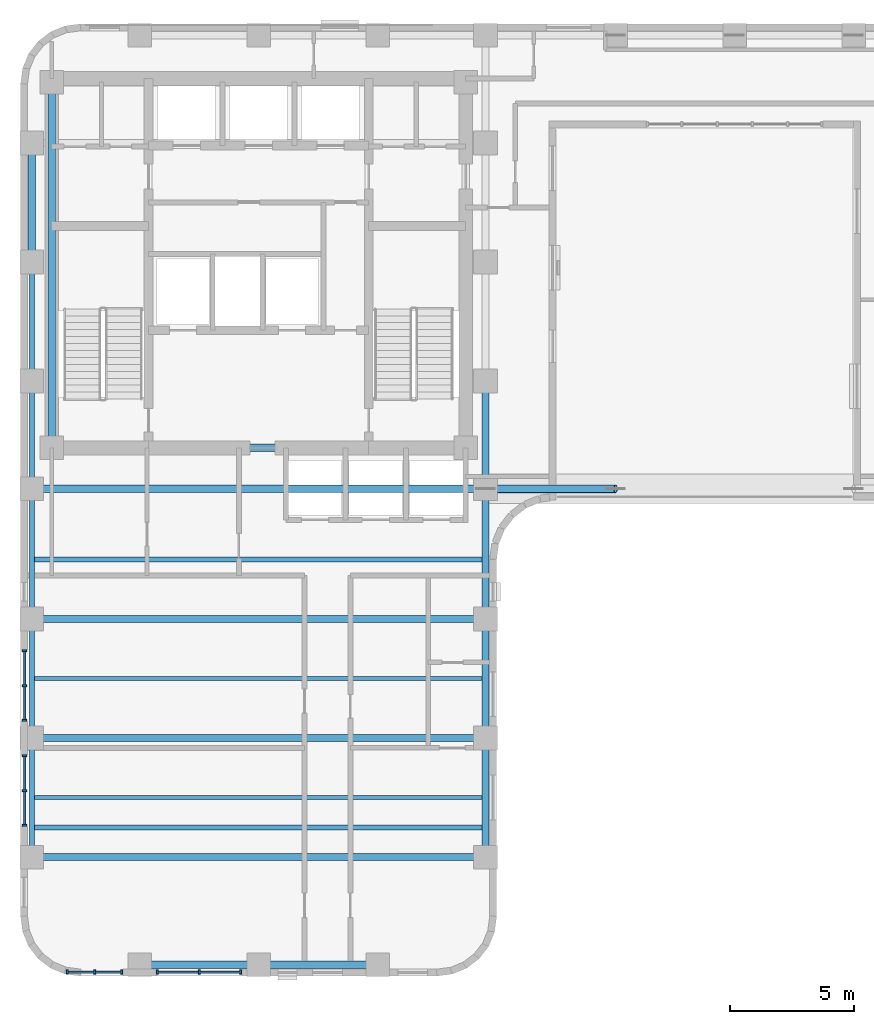
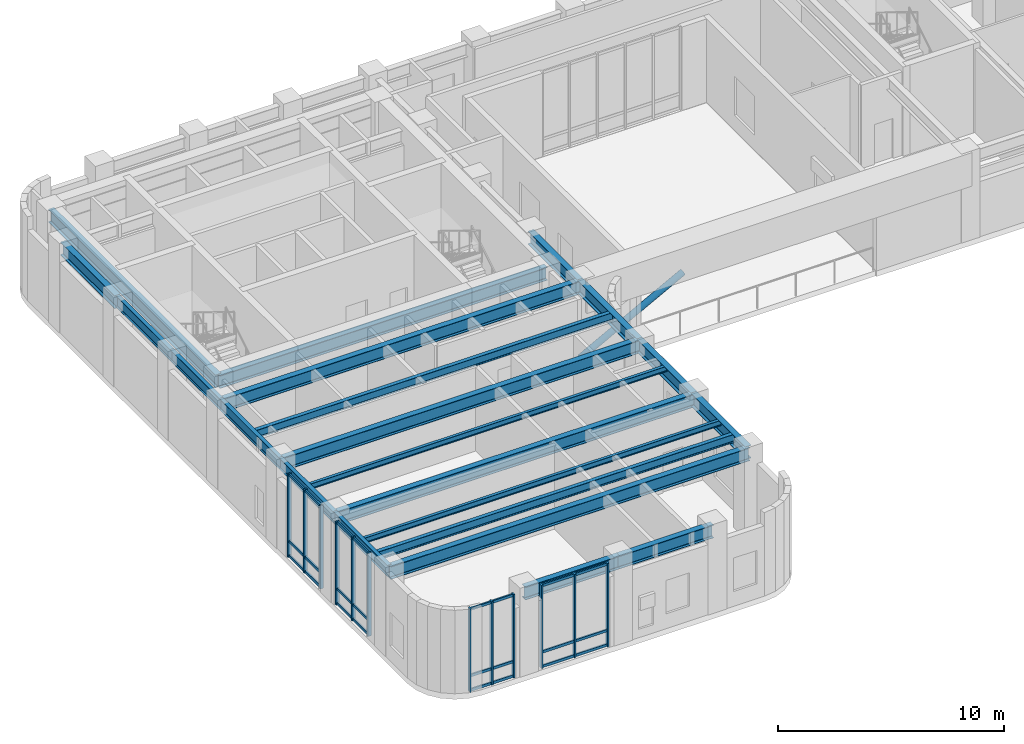
# One storey, part 2 of 12: 37 members, 22 beams, 4 elements without a shape of their own.
"""IFC4 building model written with IfcOpenShell, lengths in metres."""

from ifc_helpers import new_model, si_unit, direction, frame, origin, origin_2d, place, context, subcontext, project, spatial, rectangle, hollow_circle, i_section, extrude, material, material_profile, profile_set, type_object, element, aggregate, save


model = new_model("IFC4")

# Units and contexts
model_context = context("Model", 3, precision=1e-05, world=origin(), true_north=direction((0.0, 1.0)))
body_context = subcontext(model_context, "Body", "Model", "MODEL_VIEW")
ifc_project = project(units=[si_unit("LENGTHUNIT", "METRE"), si_unit("AREAUNIT", "SQUARE_METRE"), si_unit("VOLUMEUNIT", "CUBIC_METRE"), si_unit("PLANEANGLEUNIT", "RADIAN"), si_unit("MASSUNIT", "GRAM", prefix="KILO")], contexts=[model_context])

# Site, building, storey
site_placement = place(None, origin())
site = spatial("IfcSite", under=ifc_project, at=site_placement, CompositionType="ELEMENT")
building_placement = place(site_placement, origin())
building = spatial("IfcBuilding", under=site, at=building_placement, Name="Orvandelia Arch Residences", CompositionType="ELEMENT")
storey_placement = place(building_placement, frame((0.0, 0.0, 193.60009765625)))
storey = spatial("IfcBuildingStorey", under=building, at=storey_placement, Name="L51", CompositionType="ELEMENT", Elevation=193.60009765625)

# Beams
ifc_material_1 = material(Name="Structural Steel SM355 (355 MPa)", Category="steel")
ifc_material_profile_1 = material_profile(ifc_material_1, i_section(OverallWidth=0.199951171875, OverallDepth=0.449951171875, WebThickness=0.009033203125, FlangeThickness=0.013916015625, FilletRadius=0.01806640625, at=origin_2d()), Name="Structural Steel SM355 (355 MPa)", Category="steel")
ifc_profile_set_1 = profile_set([ifc_material_profile_1], Name="Structural Steel SM355 (355 MPa)")
beam_type_1 = type_object("IfcBeamType", Name="BM-BAL-H450", PredefinedType="BEAM", material=ifc_profile_set_1)
for number, where, z_axis, x_axis, name in (
    (1, (5.25, 15.60009765625, 4.27490234375), (1.0, 0.0, 0.0), (0.0, 1.0, 0.0), "Sky-Deck Edge Steel Beam L51-BB1"),
    (2, (5.25, 26.39990234375, 4.27490234375), (1.0, 0.0, 0.0), (0.0, 1.0, 0.0), "Sky-Deck Edge Steel Beam L51-BB2"),
):
    element("IfcBeam", number, at=place(storey_placement, frame(where, z_axis=z_axis, x_axis=x_axis)), inside=storey, type_object=beam_type_1, Name=name, PredefinedType="BEAM", context=body_context, shape_type="SweptSolid", body=[
        extrude(i_section(OverallWidth=0.199951171875, OverallDepth=0.449951171875, WebThickness=0.009033203125, FlangeThickness=0.013916015625, FilletRadius=0.01806640625, at=origin_2d()), origin(), (0.0, 0.0, 1.0), 18.300048828125),
    ])
ifc_material_profile_2 = material_profile(ifc_material_1, i_section(OverallWidth=0.300048828125, OverallDepth=0.699951171875, WebThickness=0.012939453125, FlangeThickness=0.02392578125, FilletRadius=0.02392578125, at=origin_2d()), Name="Structural Steel SM355 (355 MPa)", Category="steel")
ifc_profile_set_2 = profile_set([ifc_material_profile_2], Name="Structural Steel SM355 (355 MPa)")
beam_type_2 = type_object("IfcBeamType", Name="BM-GRD-H700", PredefinedType="BEAM", material=ifc_profile_set_2)
beam_1_placement = place(storey_placement, frame((5.25, 38.39990234375, 4.14990234375), z_axis=(0.0, 1.0, 0.0), x_axis=(-1.0, 0.0, 0.0)))
element("IfcBeam", 3, at=beam_1_placement, inside=storey, type_object=beam_type_2, Name="Structural Frame Beam L51-NS-006", PredefinedType="BEAM", context=body_context, shape_type="SweptSolid", body=[
    extrude(i_section(OverallWidth=0.300048828125, OverallDepth=0.699951171875, WebThickness=0.012939453125, FlangeThickness=0.02392578125, FilletRadius=0.02392578125, at=origin_2d()), origin(), (0.0, 0.0, 1.0), 4.800048828125),
])
beam_2_placement = place(storey_placement, frame((6.050048828125, 30.89990234375, 4.14990234375), z_axis=(0.0, 1.0, 0.0), x_axis=(-1.0, 0.0, 0.0)))
element("IfcBeam", 4, at=beam_2_placement, inside=storey, type_object=beam_type_2, Name="Structural Frame Beam L51-NS-007", PredefinedType="BEAM", context=body_context, shape_type="SweptSolid", body=[
    extrude(i_section(OverallWidth=0.300048828125, OverallDepth=0.699951171875, WebThickness=0.012939453125, FlangeThickness=0.02392578125, FilletRadius=0.02392578125, at=origin_2d()), origin(), (0.0, 0.0, 1.0), 14.75),
])
for number, where, z_axis, x_axis, name in (
    (5, (23.550048828125, 14.39990234375, 4.14990234375), (0.0, 1.0, 0.0), (-1.0, 0.0, 0.0), "Structural Frame Beam L51-NS-009"),
    (6, (23.550048828125, 19.199951171875, 4.14990234375), (0.0, 1.0, 0.0), (-1.0, 0.0, 0.0), "Structural Frame Beam L51-NS-010"),
):
    element("IfcBeam", number, at=place(storey_placement, frame(where, z_axis=z_axis, x_axis=x_axis)), inside=storey, type_object=beam_type_2, Name=name, PredefinedType="BEAM", context=body_context, shape_type="SweptSolid", body=[
        extrude(i_section(OverallWidth=0.300048828125, OverallDepth=0.699951171875, WebThickness=0.012939453125, FlangeThickness=0.02392578125, FilletRadius=0.02392578125, at=origin_2d()), origin(), (0.0, 0.0, 1.0), 4.800048828125),
    ])
beam_3_placement = place(storey_placement, frame((23.550048828125, 24.0, 4.14990234375), z_axis=(0.0, 1.0, 0.0), x_axis=(-1.0, 0.0, 0.0)))
element("IfcBeam", 7, at=beam_3_placement, inside=storey, type_object=beam_type_2, Name="Structural Frame Beam L51-NS-011", PredefinedType="BEAM", context=body_context, shape_type="SweptSolid", body=[
    extrude(i_section(OverallWidth=0.300048828125, OverallDepth=0.699951171875, WebThickness=0.012939453125, FlangeThickness=0.02392578125, FilletRadius=0.02392578125, at=origin_2d()), origin(), (0.0, 0.0, 1.0), 5.25),
])
beam_4_placement = place(storey_placement, frame((23.550048828125, 29.25, 4.14990234375), z_axis=(0.0, 1.0, 0.0), x_axis=(-1.0, 0.0, 0.0)))
element("IfcBeam", 8, at=beam_4_placement, inside=storey, type_object=beam_type_2, Name="Structural Frame Beam L51-NS-012", PredefinedType="BEAM", context=body_context, shape_type="SweptSolid", body=[
    extrude(i_section(OverallWidth=0.300048828125, OverallDepth=0.699951171875, WebThickness=0.012939453125, FlangeThickness=0.02392578125, FilletRadius=0.02392578125, at=origin_2d()), origin(), (0.0, 0.0, 1.0), 4.35009765625),
])
beam_5_placement = place(storey_placement, frame((9.60009765625, 10.050048828125, 4.14990234375), z_axis=(1.0, 0.0, 0.0), x_axis=(0.0, 1.0, 0.0)))
element("IfcBeam", 9, at=beam_5_placement, inside=storey, type_object=beam_type_2, Name="Structural Frame Girder L51-EW-022", PredefinedType="BEAM", context=body_context, shape_type="SweptSolid", body=[
    extrude(i_section(OverallWidth=0.300048828125, OverallDepth=0.699951171875, WebThickness=0.012939453125, FlangeThickness=0.02392578125, FilletRadius=0.02392578125, at=origin_2d()), origin(), (0.0, 0.0, 1.0), 4.7998046875),
])
beam_6_placement = place(storey_placement, frame((14.39990234375, 10.050048828125, 4.14990234375), z_axis=(1.0, 0.0, 0.0), x_axis=(0.0, 1.0, 0.0)))
element("IfcBeam", 10, at=beam_6_placement, inside=storey, type_object=beam_type_2, Name="Structural Frame Girder L51-EW-023", PredefinedType="BEAM", context=body_context, shape_type="SweptSolid", body=[
    extrude(i_section(OverallWidth=0.300048828125, OverallDepth=0.699951171875, WebThickness=0.012939453125, FlangeThickness=0.02392578125, FilletRadius=0.02392578125, at=origin_2d()), origin(), (0.0, 0.0, 1.0), 4.800048828125),
])
for number, where, z_axis, x_axis, name in (
    (11, (5.25, 14.39990234375, 4.14990234375), (1.0, 0.0, 0.0), (0.0, 1.0, 0.0), "Structural Frame Girder L51-EW-024"),
    (12, (5.25, 19.199951171875, 4.14990234375), (1.0, 0.0, 0.0), (0.0, 1.0, 0.0), "Structural Frame Girder L51-EW-025"),
    (13, (5.25, 24.0, 4.14990234375), (1.0, 0.0, 0.0), (0.0, 1.0, 0.0), "Structural Frame Girder L51-EW-026"),
    (14, (5.25, 29.25, 4.14990234375), (1.0, 0.0, 0.0), (0.0, 1.0, 0.0), "Structural Frame Girder L51-EW-027"),
):
    element("IfcBeam", number, at=place(storey_placement, frame(where, z_axis=z_axis, x_axis=x_axis)), inside=storey, type_object=beam_type_2, Name=name, PredefinedType="BEAM", context=body_context, shape_type="SweptSolid", body=[
        extrude(i_section(OverallWidth=0.300048828125, OverallDepth=0.699951171875, WebThickness=0.012939453125, FlangeThickness=0.02392578125, FilletRadius=0.02392578125, at=origin_2d()), origin(), (0.0, 0.0, 1.0), 18.300048828125),
    ])
beam_7_placement = place(storey_placement, frame((6.050048828125, 30.89990234375, 4.14990234375), z_axis=(1.0, 0.0, 0.0), x_axis=(0.0, 1.0, 0.0)))
element("IfcBeam", 15, at=beam_7_placement, inside=storey, type_object=beam_type_2, Name="Structural Frame Girder L51-EW-030", PredefinedType="BEAM", context=body_context, shape_type="SweptSolid", body=[
    extrude(i_section(OverallWidth=0.300048828125, OverallDepth=0.699951171875, WebThickness=0.012939453125, FlangeThickness=0.02392578125, FilletRadius=0.02392578125, at=origin_2d()), origin(), (0.0, 0.0, 1.0), 16.699951171875),
])
ifc_material_profile_3 = material_profile(ifc_material_1, i_section(OverallWidth=0.14990234375, OverallDepth=0.300048828125, WebThickness=0.006591796875, FlangeThickness=0.009033203125, FilletRadius=0.012939453125, at=origin_2d()), Name="Structural Steel SM355 (355 MPa)", Category="steel")
ifc_profile_set_3 = profile_set([ifc_material_profile_3], Name="Structural Steel SM355 (355 MPa)")
beam_type_3 = type_object("IfcBeamType", Name="BM-JST-H300", PredefinedType="JOIST", material=ifc_profile_set_3)
for number, where, z_axis, x_axis, name in (
    (16, (5.25, 16.800048828125, 4.349853515625), (1.0, 0.0, 0.0), (0.0, 1.0, 0.0), "Composite Floor Joist L51-J1"),
    (17, (5.25, 21.60009765625, 4.349853515625), (1.0, 0.0, 0.0), (0.0, 1.0, 0.0), "Composite Floor Joist L51-J2"),
):
    element("IfcBeam", number, at=place(storey_placement, frame(where, z_axis=z_axis, x_axis=x_axis)), inside=storey, type_object=beam_type_3, Name=name, PredefinedType="JOIST", context=body_context, shape_type="SweptSolid", body=[
        extrude(i_section(OverallWidth=0.14990234375, OverallDepth=0.300048828125, WebThickness=0.006591796875, FlangeThickness=0.009033203125, FilletRadius=0.012939453125, at=origin_2d()), origin(), (0.0, 0.0, 1.0), 18.300048828125),
    ])
ifc_material_profile_4 = material_profile(ifc_material_1, i_section(OverallWidth=0.199951171875, OverallDepth=0.60009765625, WebThickness=0.010986328125, FlangeThickness=0.01708984375, FilletRadius=0.02197265625, at=origin_2d()), Name="Structural Steel SM355 (355 MPa)", Category="steel")
ifc_profile_set_4 = profile_set([ifc_material_profile_4], Name="Structural Steel SM355 (355 MPa)")
beam_type_4 = type_object("IfcBeamType", Name="BM-SPN-H600", PredefinedType="SPANDREL", material=ifc_profile_set_4)
for number, where, z_axis, x_axis, name in (
    (18, (5.25, 14.39990234375, 4.199951171875), (0.0, 1.0, 0.0), (-1.0, 0.0, 0.0), "Structural Frame Beam L51-NS-001"),
    (19, (5.25, 19.199951171875, 4.199951171875), (0.0, 1.0, 0.0), (-1.0, 0.0, 0.0), "Structural Frame Beam L51-NS-002"),
):
    element("IfcBeam", number, at=place(storey_placement, frame(where, z_axis=z_axis, x_axis=x_axis)), inside=storey, type_object=beam_type_4, Name=name, PredefinedType="SPANDREL", context=body_context, shape_type="SweptSolid", body=[
        extrude(i_section(OverallWidth=0.199951171875, OverallDepth=0.60009765625, WebThickness=0.010986328125, FlangeThickness=0.01708984375, FilletRadius=0.02197265625, at=origin_2d()), origin(), (0.0, 0.0, 1.0), 4.800048828125),
    ])
beam_8_placement = place(storey_placement, frame((5.25, 24.0, 4.199951171875), z_axis=(0.0, 1.0, 0.0), x_axis=(-1.0, 0.0, 0.0)))
element("IfcBeam", 20, at=beam_8_placement, inside=storey, type_object=beam_type_4, Name="Structural Frame Beam L51-NS-003", PredefinedType="SPANDREL", context=body_context, shape_type="SweptSolid", body=[
    extrude(i_section(OverallWidth=0.199951171875, OverallDepth=0.60009765625, WebThickness=0.010986328125, FlangeThickness=0.01708984375, FilletRadius=0.02197265625, at=origin_2d()), origin(), (0.0, 0.0, 1.0), 5.25),
])
beam_9_placement = place(storey_placement, frame((5.25, 29.25, 4.199951171875), z_axis=(0.0, 1.0, 0.0), x_axis=(-1.0, 0.0, 0.0)))
element("IfcBeam", 21, at=beam_9_placement, inside=storey, type_object=beam_type_4, Name="Structural Frame Beam L51-NS-004", PredefinedType="SPANDREL", context=body_context, shape_type="SweptSolid", body=[
    extrude(i_section(OverallWidth=0.199951171875, OverallDepth=0.60009765625, WebThickness=0.010986328125, FlangeThickness=0.01708984375, FilletRadius=0.02197265625, at=origin_2d()), origin(), (0.0, 0.0, 1.0), 4.35009765625),
])
beam_10_placement = place(storey_placement, frame((5.25, 33.60009765625, 4.199951171875), z_axis=(0.0, 1.0, 0.0), x_axis=(-1.0, 0.0, 0.0)))
element("IfcBeam", 22, at=beam_10_placement, inside=storey, type_object=beam_type_4, Name="Structural Frame Beam L51-NS-005", PredefinedType="SPANDREL", context=body_context, shape_type="SweptSolid", body=[
    extrude(i_section(OverallWidth=0.199951171875, OverallDepth=0.60009765625, WebThickness=0.010986328125, FlangeThickness=0.01708984375, FilletRadius=0.02197265625, at=origin_2d()), origin(), (0.0, 0.0, 1.0), 4.7998046875),
])

# Curtain wall, members
ifc_material_2 = material(Name="Anodised Bronze Curtain Wall Assembly")
curtain_wall_type = type_object("IfcCurtainWallType", Name="CW-SYS3-SKY", PredefinedType="NOTDEFINED", material=ifc_material_2)
curtain_wall_1_placement = place(storey_placement, origin())
curtain_wall_1 = element("IfcCurtainWall", 23, at=curtain_wall_1_placement, inside=storey, type_object=curtain_wall_type, Name="Sky Lobby South Curtain Wall L51 1", PredefinedType="NOTDEFINED")
ifc_material_3 = material(Name="Anodised Aluminium Alloy 6063-T6", Category="aluminium")
ifc_material_profile_5 = material_profile(ifc_material_3, rectangle(XDim=0.080078125, YDim=0.179931640625, at=origin_2d()), Name="Anodised Aluminium Alloy 6063-T6", Category="aluminium")
ifc_profile_set_5 = profile_set([ifc_material_profile_5], Name="Anodised Aluminium Alloy 6063-T6")
member_type_1 = type_object("IfcMemberType", Name="CW-MULLION-80x160", PredefinedType="MULLION", material=ifc_profile_set_5)
member_1_placement = place(storey_placement, frame((6.679931640625, 9.760009765625, 0.0), z_axis=(0.0, 0.0, 1.0), x_axis=(1.0, 0.0, 0.0)))
member_1 = element("IfcMember", 24, at=member_1_placement, type_object=member_type_1, Name="Curtain Wall Mullion CW-L51-1-M1", PredefinedType="MULLION", context=body_context, shape_type="SweptSolid", body=[
    extrude(rectangle(XDim=0.080078125, YDim=0.179931640625, at=origin_2d()), origin(), (0.0, 0.0, 1.0), 4.5),
])
member_2_placement = place(storey_placement, frame((7.782470703125, 9.760009765625, 0.0), z_axis=(0.0, 0.0, 1.0), x_axis=(1.0, 0.0, 0.0)))
member_2 = element("IfcMember", 25, at=member_2_placement, type_object=member_type_1, Name="Curtain Wall Mullion CW-L51-1-M2", PredefinedType="MULLION", context=body_context, shape_type="SweptSolid", body=[
    extrude(rectangle(XDim=0.080078125, YDim=0.179931640625, at=origin_2d()), origin(), (0.0, 0.0, 1.0), 4.5),
])
member_3_placement = place(storey_placement, frame((8.885009765625, 9.760009765625, 0.0), z_axis=(0.0, 0.0, 1.0), x_axis=(1.0, 0.0, 0.0)))
member_3 = element("IfcMember", 26, at=member_3_placement, type_object=member_type_1, Name="Curtain Wall Mullion CW-L51-1-M3", PredefinedType="MULLION", context=body_context, shape_type="SweptSolid", body=[
    extrude(rectangle(XDim=0.080078125, YDim=0.179931640625, at=origin_2d()), origin(), (0.0, 0.0, 1.0), 4.5),
])

curtain_wall_2_placement = place(storey_placement, origin())
curtain_wall_2 = element("IfcCurtainWall", 27, at=curtain_wall_2_placement, inside=storey, type_object=curtain_wall_type, Name="Sky Lobby South Curtain Wall L51 2", PredefinedType="NOTDEFINED")
member_4_placement = place(storey_placement, frame((10.31494140625, 9.760009765625, 0.0), z_axis=(0.0, 0.0, 1.0), x_axis=(1.0, 0.0, 0.0)))
member_4 = element("IfcMember", 28, at=member_4_placement, type_object=member_type_1, Name="Curtain Wall Mullion CW-L51-2-M1", PredefinedType="MULLION", context=body_context, shape_type="SweptSolid", body=[
    extrude(rectangle(XDim=0.080078125, YDim=0.179931640625, at=origin_2d()), origin(), (0.0, 0.0, 1.0), 4.5),
])
member_5_placement = place(storey_placement, frame((12.0, 9.760009765625, 0.0), z_axis=(0.0, 0.0, 1.0), x_axis=(1.0, 0.0, 0.0)))
member_5 = element("IfcMember", 29, at=member_5_placement, type_object=member_type_1, Name="Curtain Wall Mullion CW-L51-2-M2", PredefinedType="MULLION", context=body_context, shape_type="SweptSolid", body=[
    extrude(rectangle(XDim=0.080078125, YDim=0.179931640625, at=origin_2d()), origin(), (0.0, 0.0, 1.0), 4.5),
])
member_6_placement = place(storey_placement, frame((13.68505859375, 9.760009765625, 0.0), z_axis=(0.0, 0.0, 1.0), x_axis=(1.0, 0.0, 0.0)))
member_6 = element("IfcMember", 30, at=member_6_placement, type_object=member_type_1, Name="Curtain Wall Mullion CW-L51-2-M3", PredefinedType="MULLION", context=body_context, shape_type="SweptSolid", body=[
    extrude(rectangle(XDim=0.080078125, YDim=0.179931640625, at=origin_2d()), origin(), (0.0, 0.0, 1.0), 4.5),
])

curtain_wall_3_placement = place(storey_placement, origin())
curtain_wall_3 = element("IfcCurtainWall", 31, at=curtain_wall_3_placement, inside=storey, type_object=curtain_wall_type, Name="Sky Lobby West Curtain Wall L51 3", PredefinedType="NOTDEFINED")
member_7_placement = place(storey_placement, frame((4.9599609375, 15.679931640625, 0.0), z_axis=(0.0, 0.0, 1.0), x_axis=(0.0, 1.0, 0.0)))
member_7 = element("IfcMember", 32, at=member_7_placement, type_object=member_type_1, Name="Curtain Wall Mullion CW-L51-3-M1", PredefinedType="MULLION", context=body_context, shape_type="SweptSolid", body=[
    extrude(rectangle(XDim=0.080078125, YDim=0.179931640625, at=origin_2d()), origin(), (0.0, 0.0, 1.0), 4.5),
])
member_8_placement = place(storey_placement, frame((4.9599609375, 17.08251953125, 0.0), z_axis=(0.0, 0.0, 1.0), x_axis=(0.0, 1.0, 0.0)))
member_8 = element("IfcMember", 33, at=member_8_placement, type_object=member_type_1, Name="Curtain Wall Mullion CW-L51-3-M2", PredefinedType="MULLION", context=body_context, shape_type="SweptSolid", body=[
    extrude(rectangle(XDim=0.080078125, YDim=0.179931640625, at=origin_2d()), origin(), (0.0, 0.0, 1.0), 4.5),
])
member_9_placement = place(storey_placement, frame((4.9599609375, 18.485107421875, 0.0), z_axis=(0.0, 0.0, 1.0), x_axis=(0.0, 1.0, 0.0)))
member_9 = element("IfcMember", 34, at=member_9_placement, type_object=member_type_1, Name="Curtain Wall Mullion CW-L51-3-M3", PredefinedType="MULLION", context=body_context, shape_type="SweptSolid", body=[
    extrude(rectangle(XDim=0.080078125, YDim=0.179931640625, at=origin_2d()), origin(), (0.0, 0.0, 1.0), 4.5),
])

curtain_wall_4_placement = place(storey_placement, origin())
curtain_wall_4 = element("IfcCurtainWall", 35, at=curtain_wall_4_placement, inside=storey, type_object=curtain_wall_type, Name="Sky Lobby West Curtain Wall L51 4", PredefinedType="NOTDEFINED")
member_10_placement = place(storey_placement, frame((4.9599609375, 19.9150390625, 0.0), z_axis=(0.0, 0.0, 1.0), x_axis=(0.0, 1.0, 0.0)))
member_10 = element("IfcMember", 36, at=member_10_placement, type_object=member_type_1, Name="Curtain Wall Mullion CW-L51-4-M1", PredefinedType="MULLION", context=body_context, shape_type="SweptSolid", body=[
    extrude(rectangle(XDim=0.080078125, YDim=0.179931640625, at=origin_2d()), origin(), (0.0, 0.0, 1.0), 4.5),
])
member_11_placement = place(storey_placement, frame((4.9599609375, 21.3173828125, 0.0), z_axis=(0.0, 0.0, 1.0), x_axis=(0.0, 1.0, 0.0)))
member_11 = element("IfcMember", 37, at=member_11_placement, type_object=member_type_1, Name="Curtain Wall Mullion CW-L51-4-M2", PredefinedType="MULLION", context=body_context, shape_type="SweptSolid", body=[
    extrude(rectangle(XDim=0.080078125, YDim=0.179931640625, at=origin_2d()), origin(), (0.0, 0.0, 1.0), 4.5),
])
member_12_placement = place(storey_placement, frame((4.9599609375, 22.719970703125, 0.0), z_axis=(0.0, 0.0, 1.0), x_axis=(0.0, 1.0, 0.0)))
member_12 = element("IfcMember", 38, at=member_12_placement, type_object=member_type_1, Name="Curtain Wall Mullion CW-L51-4-M3", PredefinedType="MULLION", context=body_context, shape_type="SweptSolid", body=[
    extrude(rectangle(XDim=0.080078125, YDim=0.179931640625, at=origin_2d()), origin(), (0.0, 0.0, 1.0), 4.5),
])

# Member
ifc_material_profile_6 = material_profile(ifc_material_3, rectangle(XDim=0.080078125, YDim=0.139892578125, at=origin_2d()), Name="Anodised Aluminium Alloy 6063-T6", Category="aluminium")
ifc_profile_set_6 = profile_set([ifc_material_profile_6], Name="Anodised Aluminium Alloy 6063-T6")
member_type_2 = type_object("IfcMemberType", Name="CW-TRANSOM-80x140", PredefinedType="USERDEFINED", material=ifc_profile_set_6)
member_13_placement = place(storey_placement, frame((6.705078125, 9.760009765625, 0.06982421875), z_axis=(1.0, 0.0, 0.0), x_axis=(0.0, 1.0, 0.0)))
member_13 = element("IfcMember", 39, at=member_13_placement, type_object=member_type_2, Name="Curtain Wall Transom CW-L51-1-T1-1", ObjectType="TRANSOM", PredefinedType="USERDEFINED", context=body_context, shape_type="SweptSolid", body=[
    extrude(rectangle(XDim=0.080078125, YDim=0.139892578125, at=origin_2d()), origin(), (0.0, 0.0, 1.0), 1.052490234375),
])

member_14_placement = place(storey_placement, frame((6.705078125, 9.760009765625, 0.849853515625), z_axis=(1.0, 0.0, 0.0), x_axis=(0.0, 1.0, 0.0)))
member_14 = element("IfcMember", 40, at=member_14_placement, type_object=member_type_2, Name="Curtain Wall Transom CW-L51-1-T1-2", ObjectType="TRANSOM", PredefinedType="USERDEFINED", context=body_context, shape_type="SweptSolid", body=[
    extrude(rectangle(XDim=0.080078125, YDim=0.139892578125, at=origin_2d()), origin(), (0.0, 0.0, 1.0), 1.052490234375),
])

member_15_placement = place(storey_placement, frame((6.705078125, 9.760009765625, 4.429931640625), z_axis=(1.0, 0.0, 0.0), x_axis=(0.0, 1.0, 0.0)))
member_15 = element("IfcMember", 41, at=member_15_placement, type_object=member_type_2, Name="Curtain Wall Transom CW-L51-1-T1-3", ObjectType="TRANSOM", PredefinedType="USERDEFINED", context=body_context, shape_type="SweptSolid", body=[
    extrude(rectangle(XDim=0.080078125, YDim=0.139892578125, at=origin_2d()), origin(), (0.0, 0.0, 1.0), 1.052490234375),
])

member_16_placement = place(storey_placement, frame((7.8076171875, 9.760009765625, 0.06982421875), z_axis=(1.0, 0.0, 0.0), x_axis=(0.0, 1.0, 0.0)))
member_16 = element("IfcMember", 42, at=member_16_placement, type_object=member_type_2, Name="Curtain Wall Transom CW-L51-1-T2-1", ObjectType="TRANSOM", PredefinedType="USERDEFINED", context=body_context, shape_type="SweptSolid", body=[
    extrude(rectangle(XDim=0.080078125, YDim=0.139892578125, at=origin_2d()), origin(), (0.0, 0.0, 1.0), 1.052490234375),
])

member_17_placement = place(storey_placement, frame((7.8076171875, 9.760009765625, 0.849853515625), z_axis=(1.0, 0.0, 0.0), x_axis=(0.0, 1.0, 0.0)))
member_17 = element("IfcMember", 43, at=member_17_placement, type_object=member_type_2, Name="Curtain Wall Transom CW-L51-1-T2-2", ObjectType="TRANSOM", PredefinedType="USERDEFINED", context=body_context, shape_type="SweptSolid", body=[
    extrude(rectangle(XDim=0.080078125, YDim=0.139892578125, at=origin_2d()), origin(), (0.0, 0.0, 1.0), 1.052490234375),
])

member_18_placement = place(storey_placement, frame((7.8076171875, 9.760009765625, 4.429931640625), z_axis=(1.0, 0.0, 0.0), x_axis=(0.0, 1.0, 0.0)))
member_18 = element("IfcMember", 44, at=member_18_placement, type_object=member_type_2, Name="Curtain Wall Transom CW-L51-1-T2-3", ObjectType="TRANSOM", PredefinedType="USERDEFINED", context=body_context, shape_type="SweptSolid", body=[
    extrude(rectangle(XDim=0.080078125, YDim=0.139892578125, at=origin_2d()), origin(), (0.0, 0.0, 1.0), 1.052490234375),
])

aggregate(curtain_wall_1, [member_1, member_2, member_3, member_13, member_14, member_15, member_16, member_17, member_18])

member_19_placement = place(storey_placement, frame((10.340087890625, 9.760009765625, 0.06982421875), z_axis=(1.0, 0.0, 0.0), x_axis=(0.0, 1.0, 0.0)))
member_19 = element("IfcMember", 45, at=member_19_placement, type_object=member_type_2, Name="Curtain Wall Transom CW-L51-2-T1-1", ObjectType="TRANSOM", PredefinedType="USERDEFINED", context=body_context, shape_type="SweptSolid", body=[
    extrude(rectangle(XDim=0.080078125, YDim=0.139892578125, at=origin_2d()), origin(), (0.0, 0.0, 1.0), 1.635009765625),
])

member_20_placement = place(storey_placement, frame((10.340087890625, 9.760009765625, 0.849853515625), z_axis=(1.0, 0.0, 0.0), x_axis=(0.0, 1.0, 0.0)))
member_20 = element("IfcMember", 46, at=member_20_placement, type_object=member_type_2, Name="Curtain Wall Transom CW-L51-2-T1-2", ObjectType="TRANSOM", PredefinedType="USERDEFINED", context=body_context, shape_type="SweptSolid", body=[
    extrude(rectangle(XDim=0.080078125, YDim=0.139892578125, at=origin_2d()), origin(), (0.0, 0.0, 1.0), 1.635009765625),
])

member_21_placement = place(storey_placement, frame((10.340087890625, 9.760009765625, 4.429931640625), z_axis=(1.0, 0.0, 0.0), x_axis=(0.0, 1.0, 0.0)))
member_21 = element("IfcMember", 47, at=member_21_placement, type_object=member_type_2, Name="Curtain Wall Transom CW-L51-2-T1-3", ObjectType="TRANSOM", PredefinedType="USERDEFINED", context=body_context, shape_type="SweptSolid", body=[
    extrude(rectangle(XDim=0.080078125, YDim=0.139892578125, at=origin_2d()), origin(), (0.0, 0.0, 1.0), 1.635009765625),
])

member_22_placement = place(storey_placement, frame((12.02490234375, 9.760009765625, 0.06982421875), z_axis=(1.0, 0.0, 0.0), x_axis=(0.0, 1.0, 0.0)))
member_22 = element("IfcMember", 48, at=member_22_placement, type_object=member_type_2, Name="Curtain Wall Transom CW-L51-2-T2-1", ObjectType="TRANSOM", PredefinedType="USERDEFINED", context=body_context, shape_type="SweptSolid", body=[
    extrude(rectangle(XDim=0.080078125, YDim=0.139892578125, at=origin_2d()), origin(), (0.0, 0.0, 1.0), 1.635009765625),
])

member_23_placement = place(storey_placement, frame((12.02490234375, 9.760009765625, 0.849853515625), z_axis=(1.0, 0.0, 0.0), x_axis=(0.0, 1.0, 0.0)))
member_23 = element("IfcMember", 49, at=member_23_placement, type_object=member_type_2, Name="Curtain Wall Transom CW-L51-2-T2-2", ObjectType="TRANSOM", PredefinedType="USERDEFINED", context=body_context, shape_type="SweptSolid", body=[
    extrude(rectangle(XDim=0.080078125, YDim=0.139892578125, at=origin_2d()), origin(), (0.0, 0.0, 1.0), 1.635009765625),
])

member_24_placement = place(storey_placement, frame((12.02490234375, 9.760009765625, 4.429931640625), z_axis=(1.0, 0.0, 0.0), x_axis=(0.0, 1.0, 0.0)))
member_24 = element("IfcMember", 50, at=member_24_placement, type_object=member_type_2, Name="Curtain Wall Transom CW-L51-2-T2-3", ObjectType="TRANSOM", PredefinedType="USERDEFINED", context=body_context, shape_type="SweptSolid", body=[
    extrude(rectangle(XDim=0.080078125, YDim=0.139892578125, at=origin_2d()), origin(), (0.0, 0.0, 1.0), 1.635009765625),
])

aggregate(curtain_wall_2, [member_4, member_5, member_6, member_19, member_20, member_21, member_22, member_23, member_24])

member_25_placement = place(storey_placement, frame((4.9599609375, 15.705078125, 0.06982421875), z_axis=(0.0, 1.0, 0.0), x_axis=(-1.0, 0.0, 0.0)))
member_25 = element("IfcMember", 51, at=member_25_placement, type_object=member_type_2, Name="Curtain Wall Transom CW-L51-3-T1-1", ObjectType="TRANSOM", PredefinedType="USERDEFINED", context=body_context, shape_type="SweptSolid", body=[
    extrude(rectangle(XDim=0.080078125, YDim=0.139892578125, at=origin_2d()), origin(), (0.0, 0.0, 1.0), 1.3525390625),
])

member_26_placement = place(storey_placement, frame((4.9599609375, 15.705078125, 0.849853515625), z_axis=(0.0, 1.0, 0.0), x_axis=(-1.0, 0.0, 0.0)))
member_26 = element("IfcMember", 52, at=member_26_placement, type_object=member_type_2, Name="Curtain Wall Transom CW-L51-3-T1-2", ObjectType="TRANSOM", PredefinedType="USERDEFINED", context=body_context, shape_type="SweptSolid", body=[
    extrude(rectangle(XDim=0.080078125, YDim=0.139892578125, at=origin_2d()), origin(), (0.0, 0.0, 1.0), 1.3525390625),
])

member_27_placement = place(storey_placement, frame((4.9599609375, 15.705078125, 4.429931640625), z_axis=(0.0, 1.0, 0.0), x_axis=(-1.0, 0.0, 0.0)))
member_27 = element("IfcMember", 53, at=member_27_placement, type_object=member_type_2, Name="Curtain Wall Transom CW-L51-3-T1-3", ObjectType="TRANSOM", PredefinedType="USERDEFINED", context=body_context, shape_type="SweptSolid", body=[
    extrude(rectangle(XDim=0.080078125, YDim=0.139892578125, at=origin_2d()), origin(), (0.0, 0.0, 1.0), 1.3525390625),
])

member_28_placement = place(storey_placement, frame((4.9599609375, 17.107421875, 0.06982421875), z_axis=(0.0, 1.0, 0.0), x_axis=(-1.0, 0.0, 0.0)))
member_28 = element("IfcMember", 54, at=member_28_placement, type_object=member_type_2, Name="Curtain Wall Transom CW-L51-3-T2-1", ObjectType="TRANSOM", PredefinedType="USERDEFINED", context=body_context, shape_type="SweptSolid", body=[
    extrude(rectangle(XDim=0.080078125, YDim=0.139892578125, at=origin_2d()), origin(), (0.0, 0.0, 1.0), 1.3525390625),
])

member_29_placement = place(storey_placement, frame((4.9599609375, 17.107421875, 0.849853515625), z_axis=(0.0, 1.0, 0.0), x_axis=(-1.0, 0.0, 0.0)))
member_29 = element("IfcMember", 55, at=member_29_placement, type_object=member_type_2, Name="Curtain Wall Transom CW-L51-3-T2-2", ObjectType="TRANSOM", PredefinedType="USERDEFINED", context=body_context, shape_type="SweptSolid", body=[
    extrude(rectangle(XDim=0.080078125, YDim=0.139892578125, at=origin_2d()), origin(), (0.0, 0.0, 1.0), 1.3525390625),
])

member_30_placement = place(storey_placement, frame((4.9599609375, 17.107421875, 4.429931640625), z_axis=(0.0, 1.0, 0.0), x_axis=(-1.0, 0.0, 0.0)))
member_30 = element("IfcMember", 56, at=member_30_placement, type_object=member_type_2, Name="Curtain Wall Transom CW-L51-3-T2-3", ObjectType="TRANSOM", PredefinedType="USERDEFINED", context=body_context, shape_type="SweptSolid", body=[
    extrude(rectangle(XDim=0.080078125, YDim=0.139892578125, at=origin_2d()), origin(), (0.0, 0.0, 1.0), 1.3525390625),
])

aggregate(curtain_wall_3, [member_7, member_8, member_9, member_25, member_26, member_27, member_28, member_29, member_30])

member_31_placement = place(storey_placement, frame((4.9599609375, 19.93994140625, 0.06982421875), z_axis=(0.0, 1.0, 0.0), x_axis=(-1.0, 0.0, 0.0)))
member_31 = element("IfcMember", 57, at=member_31_placement, type_object=member_type_2, Name="Curtain Wall Transom CW-L51-4-T1-1", ObjectType="TRANSOM", PredefinedType="USERDEFINED", context=body_context, shape_type="SweptSolid", body=[
    extrude(rectangle(XDim=0.080078125, YDim=0.139892578125, at=origin_2d()), origin(), (0.0, 0.0, 1.0), 1.3525390625),
])

member_32_placement = place(storey_placement, frame((4.9599609375, 19.93994140625, 0.849853515625), z_axis=(0.0, 1.0, 0.0), x_axis=(-1.0, 0.0, 0.0)))
member_32 = element("IfcMember", 58, at=member_32_placement, type_object=member_type_2, Name="Curtain Wall Transom CW-L51-4-T1-2", ObjectType="TRANSOM", PredefinedType="USERDEFINED", context=body_context, shape_type="SweptSolid", body=[
    extrude(rectangle(XDim=0.080078125, YDim=0.139892578125, at=origin_2d()), origin(), (0.0, 0.0, 1.0), 1.3525390625),
])

member_33_placement = place(storey_placement, frame((4.9599609375, 19.93994140625, 4.429931640625), z_axis=(0.0, 1.0, 0.0), x_axis=(-1.0, 0.0, 0.0)))
member_33 = element("IfcMember", 59, at=member_33_placement, type_object=member_type_2, Name="Curtain Wall Transom CW-L51-4-T1-3", ObjectType="TRANSOM", PredefinedType="USERDEFINED", context=body_context, shape_type="SweptSolid", body=[
    extrude(rectangle(XDim=0.080078125, YDim=0.139892578125, at=origin_2d()), origin(), (0.0, 0.0, 1.0), 1.3525390625),
])

member_34_placement = place(storey_placement, frame((4.9599609375, 21.342529296875, 0.06982421875), z_axis=(0.0, 1.0, 0.0), x_axis=(-1.0, 0.0, 0.0)))
member_34 = element("IfcMember", 60, at=member_34_placement, type_object=member_type_2, Name="Curtain Wall Transom CW-L51-4-T2-1", ObjectType="TRANSOM", PredefinedType="USERDEFINED", context=body_context, shape_type="SweptSolid", body=[
    extrude(rectangle(XDim=0.080078125, YDim=0.139892578125, at=origin_2d()), origin(), (0.0, 0.0, 1.0), 1.3525390625),
])

member_35_placement = place(storey_placement, frame((4.9599609375, 21.342529296875, 0.849853515625), z_axis=(0.0, 1.0, 0.0), x_axis=(-1.0, 0.0, 0.0)))
member_35 = element("IfcMember", 61, at=member_35_placement, type_object=member_type_2, Name="Curtain Wall Transom CW-L51-4-T2-2", ObjectType="TRANSOM", PredefinedType="USERDEFINED", context=body_context, shape_type="SweptSolid", body=[
    extrude(rectangle(XDim=0.080078125, YDim=0.139892578125, at=origin_2d()), origin(), (0.0, 0.0, 1.0), 1.3525390625),
])

member_36_placement = place(storey_placement, frame((4.9599609375, 21.342529296875, 4.429931640625), z_axis=(0.0, 1.0, 0.0), x_axis=(-1.0, 0.0, 0.0)))
member_36 = element("IfcMember", 62, at=member_36_placement, type_object=member_type_2, Name="Curtain Wall Transom CW-L51-4-T2-3", ObjectType="TRANSOM", PredefinedType="USERDEFINED", context=body_context, shape_type="SweptSolid", body=[
    extrude(rectangle(XDim=0.080078125, YDim=0.139892578125, at=origin_2d()), origin(), (0.0, 0.0, 1.0), 1.3525390625),
])

aggregate(curtain_wall_4, [member_10, member_11, member_12, member_31, member_32, member_33, member_34, member_35, member_36])

ifc_material_4 = material(Name="Structural Steel HSA650 (650 MPa)", Category="steel")
ifc_material_profile_7 = material_profile(ifc_material_4, hollow_circle(Radius=0.1591796875, WallThickness=0.011962890625, at=origin_2d()), Name="Structural Steel HSA650 (650 MPa)", Category="steel")
ifc_profile_set_7 = profile_set([ifc_material_profile_7], Name="Structural Steel HSA650 (650 MPa)")
member_type_3 = type_object("IfcMemberType", Name="MBR-PORTAL-DIAG", PredefinedType="BRACE", material=ifc_profile_set_7)
member_37_placement = place(storey_placement, frame((23.550048828125, 29.25, 0.25), z_axis=(0.882366571036, 0.0, 0.470562678415), x_axis=(0.0, 1.0, 0.0)))
element("IfcMember", 63, at=member_37_placement, inside=storey, type_object=member_type_3, Name="Void-Portal Bridge Truss Diagonal PTD1", PredefinedType="BRACE", context=body_context, shape_type="SweptSolid", body=[
    extrude(hollow_circle(Radius=0.1591796875, WallThickness=0.011962890625, at=origin_2d()), origin(), (0.0, 0.0, 1.0), 5.949951171875),
])

save(model, "model.ifc")
